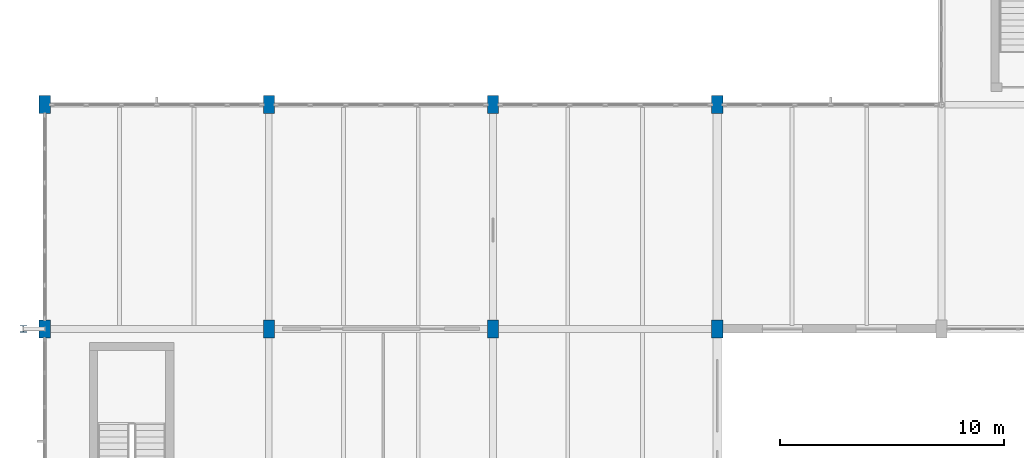
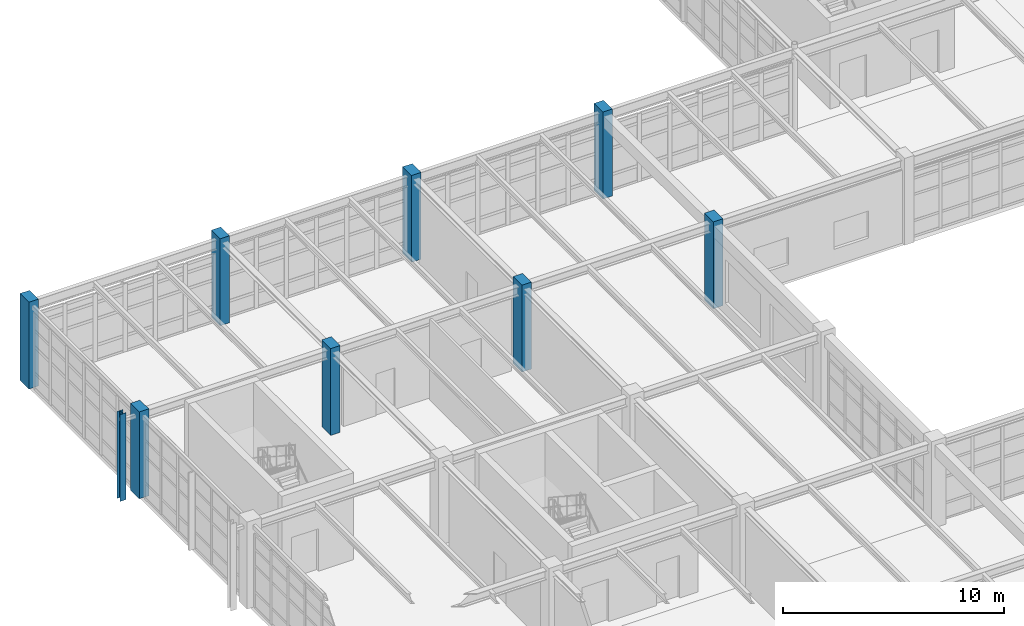
# One storey, part 11 of 139: 9 columns.
"""IFC4 building model written with IfcOpenShell, lengths in metres."""

from ifc_helpers import new_model, si_unit, direction, frame, origin, origin_2d, place, context, subcontext, project, spatial, rectangle, i_section, extrude, material, material_profile, profile_set, type_object, element, save


model = new_model("IFC4")

# Units and contexts
model_context = context("Model", 3, precision=1e-05, world=origin(), true_north=direction((0.0, 1.0)))
body_context = subcontext(model_context, "Body", "Model", "MODEL_VIEW")
ifc_project = project(units=[si_unit("LENGTHUNIT", "METRE"), si_unit("AREAUNIT", "SQUARE_METRE"), si_unit("VOLUMEUNIT", "CUBIC_METRE"), si_unit("PLANEANGLEUNIT", "RADIAN"), si_unit("MASSUNIT", "GRAM", prefix="KILO"), si_unit("THERMODYNAMICTEMPERATUREUNIT", "KELVIN"), si_unit("POWERUNIT", "WATT")], contexts=[model_context])

# Site, building, storey
site_placement = place(None, origin())
site = spatial("IfcSite", under=ifc_project, at=site_placement, CompositionType="ELEMENT")
building_placement = place(site_placement, origin())
building = spatial("IfcBuilding", under=site, at=building_placement, Name="Korenveer Ferry Terminal", CompositionType="ELEMENT")
storey_placement = place(building_placement, frame((0.0, 0.0, 5.39990234375)))
storey = spatial("IfcBuildingStorey", under=building, at=storey_placement, Name="L01", CompositionType="ELEMENT", Elevation=5.39990234375)

# Columns
ifc_material_1 = material(Name="Concrete C45/55", Category="concrete")
ifc_material_profile_1 = material_profile(ifc_material_1, rectangle(XDim=0.5, YDim=0.800048828125, at=origin_2d()), Name="RC 500x800")
ifc_profile_set_1 = profile_set([ifc_material_profile_1], Name="Concrete C45/55")
column_type_1 = type_object("IfcColumnType", Name="STR-COL-RC500X800", PredefinedType="COLUMN", material=ifc_profile_set_1)
for number, where, z_axis, x_axis, name in (
    (1, (0.0, 70.0, 0.0), (0.0, 0.0, 1.0), (1.0, 0.0, 0.0), "Column COL-L01-X0-Y70"),
    (2, (0.0, 80.0, 0.0), (0.0, 0.0, 1.0), (1.0, 0.0, 0.0), "Column COL-L01-X0-Y80"),
    (3, (10.0, 70.0, 0.0), (0.0, 0.0, 1.0), (1.0, 0.0, 0.0), "Column COL-L01-X10-Y70"),
    (4, (10.0, 80.0, 0.0), (0.0, 0.0, 1.0), (1.0, 0.0, 0.0), "Column COL-L01-X10-Y80"),
    (5, (20.0, 70.0, 0.0), (0.0, 0.0, 1.0), (1.0, 0.0, 0.0), "Column COL-L01-X20-Y70"),
    (6, (20.0, 80.0, 0.0), (0.0, 0.0, 1.0), (1.0, 0.0, 0.0), "Column COL-L01-X20-Y80"),
    (7, (30.0, 70.0, 0.0), (0.0, 0.0, 1.0), (1.0, 0.0, 0.0), "Column COL-L01-X30-Y70"),
    (8, (30.0, 80.0, 0.0), (0.0, 0.0, 1.0), (1.0, 0.0, 0.0), "Column COL-L01-X30-Y80"),
):
    element("IfcColumn", number, at=place(storey_placement, frame(where, z_axis=z_axis, x_axis=x_axis)), inside=storey, type_object=column_type_1, Name=name, PredefinedType="COLUMN", context=body_context, shape_type="SweptSolid", body=[
        extrude(rectangle(XDim=0.5, YDim=0.800048828125, at=origin_2d()), origin(), (0.0, 0.0, 1.0), 4.800048828125),
    ])
ifc_material_2 = material(Name="Steel S355", Category="steel")
ifc_material_profile_2 = material_profile(ifc_material_2, i_section(OverallWidth=0.300048828125, OverallDepth=0.2900390625, WebThickness=0.008544921875, FlangeThickness=0.013916015625, FilletRadius=0.027099609375, at=origin_2d()), Name="HEA 300")
ifc_profile_set_2 = profile_set([ifc_material_profile_2], Name="Steel S355")
column_type_2 = type_object("IfcColumnType", Name="STR-PIL-BRICK450", PredefinedType="PILASTER", material=ifc_profile_set_2)
column_placement = place(storey_placement, frame((-0.949951171875, 70.0, 0.0), z_axis=(0.0, 0.0, 1.0), x_axis=(1.0, 0.0, 0.0)))
element("IfcColumn", 9, at=column_placement, inside=storey, type_object=column_type_2, Name="Buttress pilaster 17", PredefinedType="PILASTER", context=body_context, shape_type="SweptSolid", body=[
    extrude(i_section(OverallWidth=0.300048828125, OverallDepth=0.2900390625, WebThickness=0.008544921875, FlangeThickness=0.013916015625, FilletRadius=0.027099609375, at=origin_2d()), origin(), (0.0, 0.0, 1.0), 4.800048828125),
])

save(model, "model.ifc")
